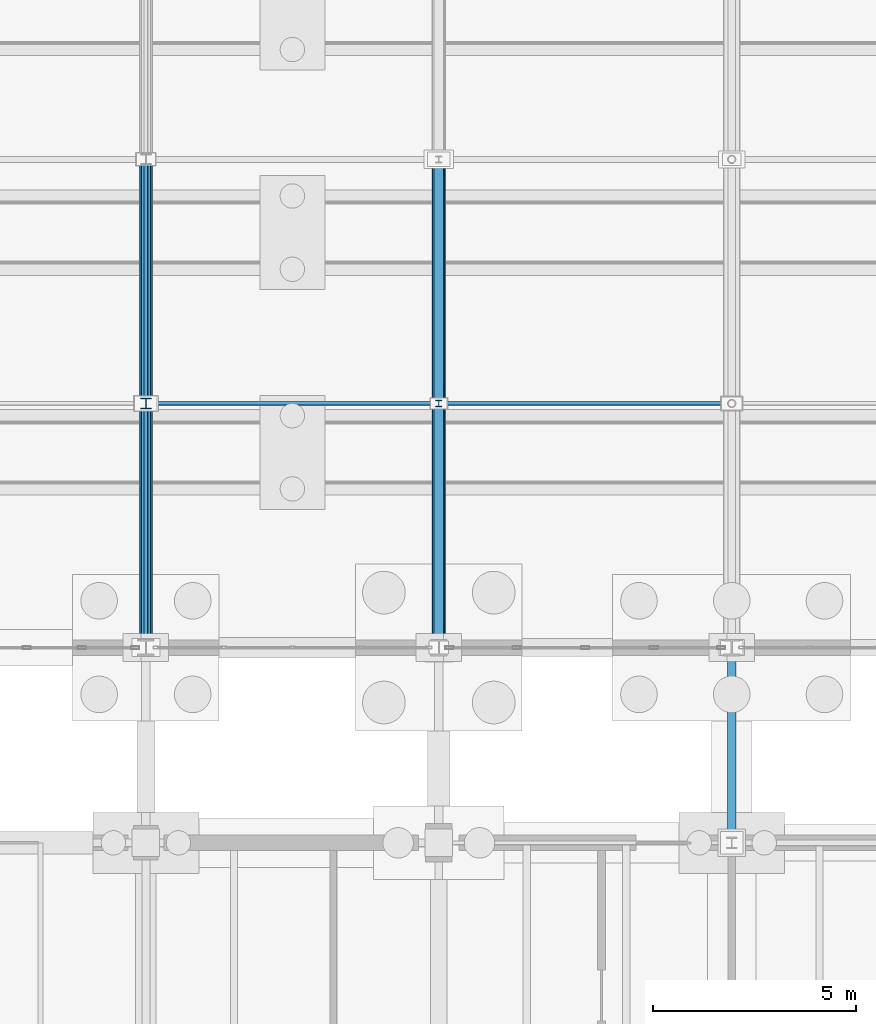
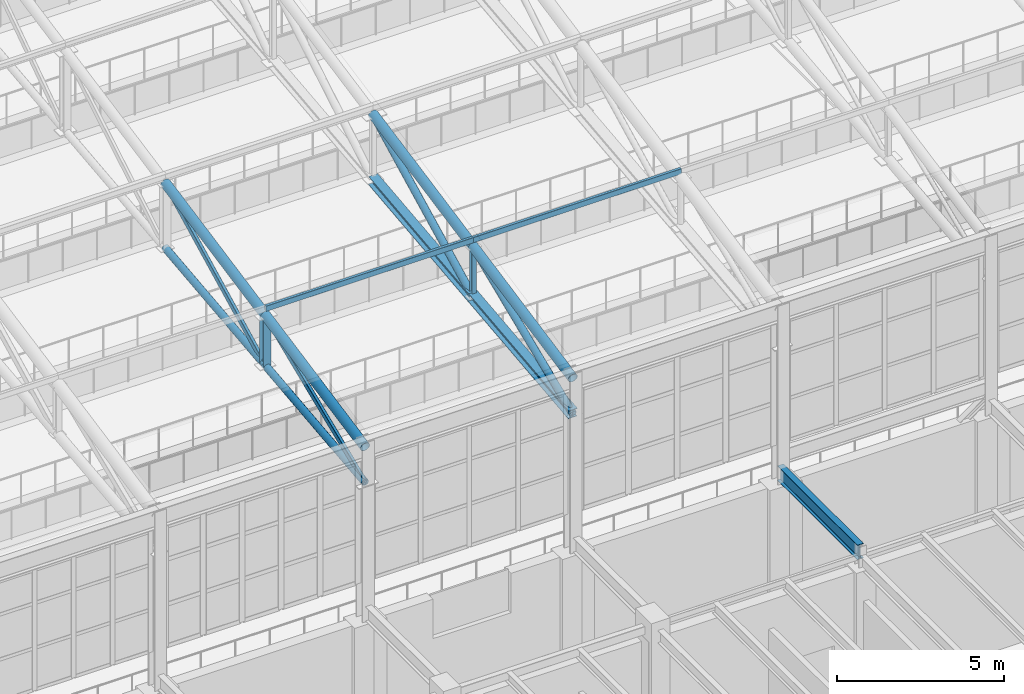
# One storey, part 167 of 293: 16 members, 1 beam.
"""IFC4 building model written with IfcOpenShell, lengths in metres."""

from ifc_helpers import new_model, si_unit, direction, frame, origin, origin_2d, place, context, subcontext, project, spatial, hollow_rectangle, hollow_circle, i_section, extrude, material, material_profile, profile_set, type_object, element, save


model = new_model("IFC4")

# Units and contexts
model_context = context("Model", 3, precision=1e-05, world=origin(), true_north=direction((0.0, 1.0)))
body_context = subcontext(model_context, "Body", "Model", "MODEL_VIEW")
ifc_project = project(units=[si_unit("LENGTHUNIT", "METRE"), si_unit("AREAUNIT", "SQUARE_METRE"), si_unit("VOLUMEUNIT", "CUBIC_METRE"), si_unit("PLANEANGLEUNIT", "RADIAN"), si_unit("MASSUNIT", "GRAM", prefix="KILO")], contexts=[model_context])

# Site, building, storey
site_placement = place(None, origin())
site = spatial("IfcSite", under=ifc_project, at=site_placement, CompositionType="ELEMENT")
building_placement = place(site_placement, origin())
building = spatial("IfcBuilding", under=site, at=building_placement, Name="Kemerveld Promenade Tramway Depot", CompositionType="ELEMENT")
storey_placement = place(building_placement, origin())
storey = spatial("IfcBuildingStorey", under=building, at=storey_placement, Name="L00", CompositionType="ELEMENT", Elevation=0.0)

# Beam
ifc_material = material(Name="Steel S355", Category="steel")
ifc_material_profile_1 = material_profile(ifc_material, i_section(OverallWidth=0.2099609375, OverallDepth=0.53662109375, WebThickness=0.0107421875, FlangeThickness=0.017333984375, FilletRadius=0.0126953125, at=origin_2d()), Name="533x210x101 UB")
ifc_profile_set_1 = profile_set([ifc_material_profile_1], Name="Steel S355")
beam_type = type_object("IfcBeamType", Name="BM-G05", PredefinedType="BEAM", material=ifc_profile_set_1)
beam_placement = place(storey_placement, frame((144.0, 79.199951171875, 5.131591796875), z_axis=(0.0, 1.0, 0.0), x_axis=(-1.0, 0.0, 0.0)))
element("IfcBeam", 1, at=beam_placement, inside=storey, type_object=beam_type, Name="BM-LINK-21-MN", PredefinedType="BEAM", context=body_context, shape_type="SweptSolid", body=[
    extrude(i_section(OverallWidth=0.2099609375, OverallDepth=0.53662109375, WebThickness=0.0107421875, FlangeThickness=0.017333984375, FilletRadius=0.0126953125, at=origin_2d()), origin(), (0.0, 0.0, 1.0), 4.800048828125),
])

# Members
ifc_material_profile_2 = material_profile(ifc_material, hollow_rectangle(XDim=0.10009765625, YDim=0.199951171875, WallThickness=0.008056640625, InnerFilletRadius=0.00390625, OuterFilletRadius=0.011962890625, at=origin_2d()), Name="200x100x8.0 RHS")
ifc_profile_set_2 = profile_set([ifc_material_profile_2], Name="Steel S355")
member_type_1 = type_object("IfcMemberType", Name="MB-M03", PredefinedType="BRACE", material=ifc_profile_set_2)
member_1_placement = place(storey_placement, frame((129.60009765625, 84.0, 9.800048828125), z_axis=(0.0, 0.923076923077, 0.384615384615), x_axis=(-1.0, 0.0, 0.0)))
element("IfcMember", 2, at=member_1_placement, inside=storey, type_object=member_type_1, Name="TR-19-DG-01", PredefinedType="BRACE", context=body_context, shape_type="SweptSolid", body=[
    extrude(hollow_rectangle(XDim=0.10009765625, YDim=0.199951171875, WallThickness=0.008056640625, InnerFilletRadius=0.00390625, OuterFilletRadius=0.011962890625, at=origin_2d()), origin(), (0.0, 0.0, 1.0), 6.5),
])
member_2_placement = place(storey_placement, frame((129.60009765625, 90.0, 10.4599609375), z_axis=(0.0, 0.892033434612, 0.451969414379), x_axis=(-1.0, 0.0, 0.0)))
element("IfcMember", 3, at=member_2_placement, inside=storey, type_object=member_type_1, Name="TR-19-DG-02", PredefinedType="BRACE", context=body_context, shape_type="SweptSolid", body=[
    extrude(hollow_rectangle(XDim=0.10009765625, YDim=0.199951171875, WallThickness=0.008056640625, InnerFilletRadius=0.00390625, OuterFilletRadius=0.011962890625, at=origin_2d()), origin(), (0.0, 0.0, 1.0), 6.726318359375),
])
ifc_material_profile_3 = material_profile(ifc_material, i_section(OverallWidth=0.25634765625, OverallDepth=0.26025390625, WebThickness=0.01025390625, FlangeThickness=0.017333984375, FilletRadius=0.0126953125, at=origin_2d()), Name="254x254x89 UC")
ifc_profile_set_3 = profile_set([ifc_material_profile_3], Name="Steel S355")
member_type_2 = type_object("IfcMemberType", Name="MB-M04", PredefinedType="POST", material=ifc_profile_set_3)
member_3_placement = place(storey_placement, frame((129.60009765625, 90.0, 10.4599609375), z_axis=(0.0, 0.0, 1.0), x_axis=(1.0, 0.0, 0.0)))
element("IfcMember", 4, at=member_3_placement, inside=storey, type_object=member_type_2, Name="TR-19-VT-01", PredefinedType="POST", context=body_context, shape_type="SweptSolid", body=[
    extrude(i_section(OverallWidth=0.25634765625, OverallDepth=0.26025390625, WebThickness=0.01025390625, FlangeThickness=0.017333984375, FilletRadius=0.0126953125, at=origin_2d()), origin(), (0.0, 0.0, 1.0), 1.840087890625),
])
ifc_material_profile_4 = material_profile(ifc_material, i_section(OverallWidth=0.154296875, OverallDepth=0.161865234375, WebThickness=0.008056640625, FlangeThickness=0.011474609375, FilletRadius=0.007568359375, at=origin_2d()), Name="152x152x37 UC")
ifc_profile_set_4 = profile_set([ifc_material_profile_4], Name="Steel S355")
member_type_3 = type_object("IfcMemberType", Name="MB-M05", PredefinedType="POST", material=ifc_profile_set_4)
member_4_placement = place(storey_placement, frame((136.800048828125, 90.0, 10.4599609375), z_axis=(0.0, 0.0, 1.0), x_axis=(1.0, 0.0, 0.0)))
element("IfcMember", 5, at=member_4_placement, inside=storey, type_object=member_type_3, Name="TR-20-VT-01", PredefinedType="POST", context=body_context, shape_type="SweptSolid", body=[
    extrude(i_section(OverallWidth=0.154296875, OverallDepth=0.161865234375, WebThickness=0.008056640625, FlangeThickness=0.011474609375, FilletRadius=0.007568359375, at=origin_2d()), origin(), (0.0, 0.0, 1.0), 1.840087890625),
])
ifc_material_profile_5 = material_profile(ifc_material, hollow_rectangle(XDim=0.10009765625, YDim=0.199951171875, WallThickness=0.008056640625, InnerFilletRadius=0.00390625, OuterFilletRadius=0.011962890625, at=origin_2d()), Name="200x100x8.0 RHS")
ifc_profile_set_5 = profile_set([ifc_material_profile_5], Name="Steel S355")
member_type_4 = type_object("IfcMemberType", Name="MB-PR2", PredefinedType="PURLIN", material=ifc_profile_set_5)
for number, where, z_axis, x_axis, name in (
    (6, (129.60009765625, 90.0, 12.544921875), (1.0, 0.0, 0.0), (0.0, 1.0, 0.0), "PUR-V1-01-19"),
    (7, (136.800048828125, 90.0, 12.544921875), (1.0, 0.0, 0.0), (0.0, 1.0, 0.0), "PUR-V1-01-20"),
):
    element("IfcMember", number, at=place(storey_placement, frame(where, z_axis=z_axis, x_axis=x_axis)), inside=storey, type_object=member_type_4, Name=name, PredefinedType="PURLIN", context=body_context, shape_type="SweptSolid", body=[
        extrude(hollow_rectangle(XDim=0.10009765625, YDim=0.199951171875, WallThickness=0.008056640625, InnerFilletRadius=0.00390625, OuterFilletRadius=0.011962890625, at=origin_2d()), origin(), (0.0, 0.0, 1.0), 7.199951171875),
    ])
ifc_material_profile_6 = material_profile(ifc_material, hollow_circle(Radius=0.122314453125, WallThickness=0.010009765625, at=origin_2d()), Name="244.5x10.0 CHS")
ifc_profile_set_6 = profile_set([ifc_material_profile_6], Name="Steel S355")
member_type_5 = type_object("IfcMemberType", Name="MB-TB1", PredefinedType="BRACE", material=ifc_profile_set_6)
member_5_placement = place(storey_placement, frame((136.800048828125, 84.0, 9.800048828125), z_axis=(0.0, 0.923076923077, 0.384615384615), x_axis=(-1.0, 0.0, 0.0)))
element("IfcMember", 8, at=member_5_placement, inside=storey, type_object=member_type_5, Name="TR-20-DG-01", PredefinedType="BRACE", context=body_context, shape_type="SweptSolid", body=[
    extrude(hollow_circle(Radius=0.122314453125, WallThickness=0.010009765625, at=origin_2d()), origin(), (0.0, 0.0, 1.0), 6.5),
])
member_6_placement = place(storey_placement, frame((136.800048828125, 90.0, 10.4599609375), z_axis=(0.0, 0.892033434612, 0.451969414379), x_axis=(-1.0, 0.0, 0.0)))
element("IfcMember", 9, at=member_6_placement, inside=storey, type_object=member_type_5, Name="TR-20-DG-02", PredefinedType="BRACE", context=body_context, shape_type="SweptSolid", body=[
    extrude(hollow_circle(Radius=0.122314453125, WallThickness=0.010009765625, at=origin_2d()), origin(), (0.0, 0.0, 1.0), 6.726318359375),
])
ifc_material_profile_7 = material_profile(ifc_material, hollow_circle(Radius=0.161865234375, WallThickness=0.012451171875, at=origin_2d()), Name="323.9x12.5 CHS")
ifc_profile_set_7 = profile_set([ifc_material_profile_7], Name="Steel S355")
member_type_6 = type_object("IfcMemberType", Name="MB-TC2", PredefinedType="CHORD", material=ifc_profile_set_7)
for number, where, z_axis, x_axis, name in (
    (10, (129.60009765625, 84.0, 11.10009765625), (0.0, 0.980582210276, 0.196108462057), (-1.0, 0.0, 0.0), "TR-19-TC-01"),
    (11, (129.60009765625, 90.0, 12.300048828125), (0.0, 0.980582210276, 0.196108462057), (-1.0, 0.0, 0.0), "TR-19-TC-02"),
    (12, (136.800048828125, 84.0, 11.10009765625), (0.0, 0.980582210276, 0.196108462057), (-1.0, 0.0, 0.0), "TR-20-TC-01"),
    (13, (136.800048828125, 90.0, 12.300048828125), (0.0, 0.980582210276, 0.196108462057), (-1.0, 0.0, 0.0), "TR-20-TC-02"),
):
    element("IfcMember", number, at=place(storey_placement, frame(where, z_axis=z_axis, x_axis=x_axis)), inside=storey, type_object=member_type_6, Name=name, PredefinedType="CHORD", context=body_context, shape_type="SweptSolid", body=[
        extrude(hollow_circle(Radius=0.161865234375, WallThickness=0.012451171875, at=origin_2d()), origin(), (0.0, 0.0, 1.0), 6.118896484375),
    ])
ifc_material_profile_8 = material_profile(ifc_material, hollow_circle(Radius=0.122314453125, WallThickness=0.010009765625, at=origin_2d()), Name="244.5x10.0 CHS")
ifc_profile_set_8 = profile_set([ifc_material_profile_8], Name="Steel S355")
member_type_7 = type_object("IfcMemberType", Name="MB-TC3", PredefinedType="CHORD", material=ifc_profile_set_8)
for number, where, z_axis, x_axis, name in (
    (14, (129.60009765625, 84.0, 9.800048828125), (0.0, 0.994005938353, 0.109326092585), (-1.0, 0.0, 0.0), "TR-19-BC-01"),
    (15, (129.60009765625, 90.0, 10.4599609375), (0.0, 0.994001542248, 0.109366055104), (-1.0, 0.0, 0.0), "TR-19-BC-02"),
):
    element("IfcMember", number, at=place(storey_placement, frame(where, z_axis=z_axis, x_axis=x_axis)), inside=storey, type_object=member_type_7, Name=name, PredefinedType="CHORD", context=body_context, shape_type="SweptSolid", body=[
        extrude(hollow_circle(Radius=0.122314453125, WallThickness=0.010009765625, at=origin_2d()), origin(), (0.0, 0.0, 1.0), 6.0361328125),
    ])
ifc_material_profile_9 = material_profile(ifc_material, i_section(OverallWidth=0.307373046875, OverallDepth=0.314453125, WebThickness=0.011962890625, FlangeThickness=0.018798828125, FilletRadius=0.01513671875, at=origin_2d()), Name="305x305x118 UC")
ifc_profile_set_9 = profile_set([ifc_material_profile_9], Name="Steel S355")
member_type_8 = type_object("IfcMemberType", Name="MB-TC4", PredefinedType="CHORD", material=ifc_profile_set_9)
for number, where, z_axis, x_axis, name in (
    (16, (136.800048828125, 84.0, 9.800048828125), (0.0, 0.994005938353, 0.109326092585), (-1.0, 0.0, 0.0), "TR-20-BC-01"),
    (17, (136.800048828125, 90.0, 10.4599609375), (0.0, 0.994001542248, 0.109366055104), (-1.0, 0.0, 0.0), "TR-20-BC-02"),
):
    element("IfcMember", number, at=place(storey_placement, frame(where, z_axis=z_axis, x_axis=x_axis)), inside=storey, type_object=member_type_8, Name=name, PredefinedType="CHORD", context=body_context, shape_type="SweptSolid", body=[
        extrude(i_section(OverallWidth=0.307373046875, OverallDepth=0.314453125, WebThickness=0.011962890625, FlangeThickness=0.018798828125, FilletRadius=0.01513671875, at=origin_2d()), origin(), (0.0, 0.0, 1.0), 6.0361328125),
    ])

save(model, "model.ifc")
